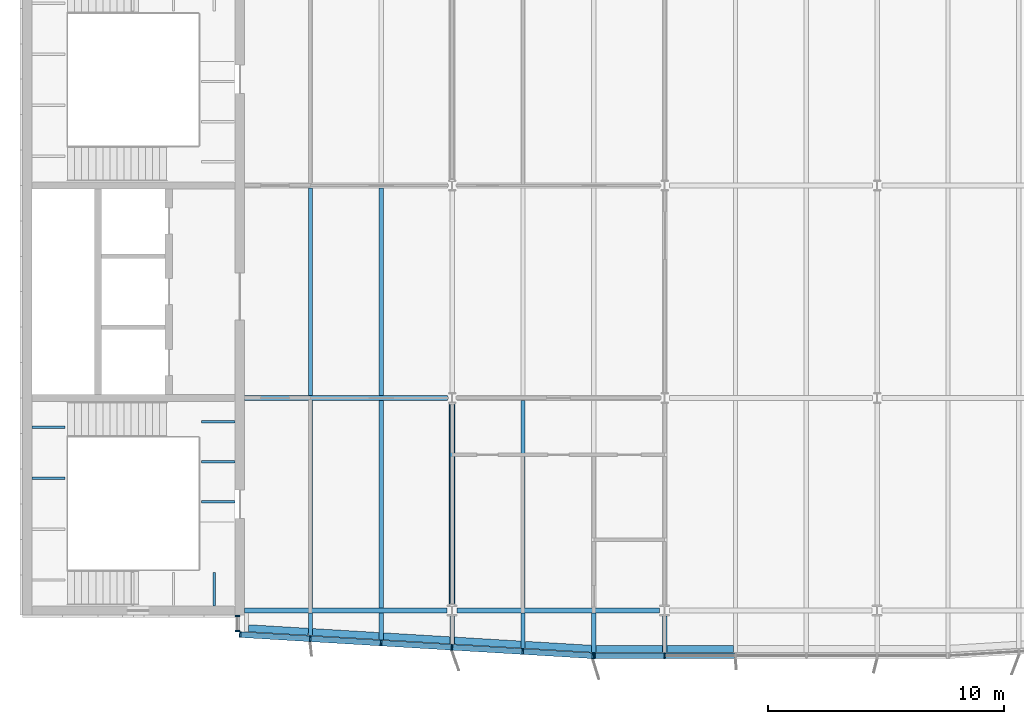
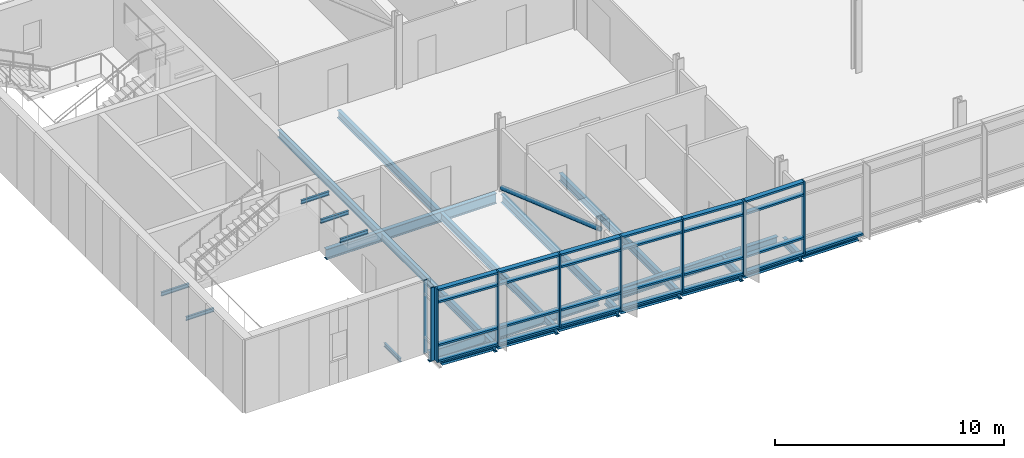
# One storey, part 2 of 20: 36 members, 28 beams, 3 elements without a shape of their own.
"""IFC4 building model written with IfcOpenShell, lengths in metres."""

from ifc_helpers import new_model, si_unit, direction, frame, origin, origin_2d, place, context, subcontext, project, spatial, rectangle, hollow_circle, i_section, extrude, material, material_profile, profile_set, type_object, element, aggregate, save


model = new_model("IFC4")

# Units and contexts
model_context = context("Model", 3, precision=1e-05, world=origin(), true_north=direction((0.0, 1.0)))
body_context = subcontext(model_context, "Body", "Model", "MODEL_VIEW")
ifc_project = project(units=[si_unit("LENGTHUNIT", "METRE"), si_unit("AREAUNIT", "SQUARE_METRE"), si_unit("VOLUMEUNIT", "CUBIC_METRE"), si_unit("PLANEANGLEUNIT", "RADIAN"), si_unit("MASSUNIT", "GRAM", prefix="KILO")], contexts=[model_context])

# Site, building, storey
site_placement = place(None, origin())
site = spatial("IfcSite", under=ifc_project, at=site_placement, CompositionType="ELEMENT")
building_placement = place(site_placement, origin())
building = spatial("IfcBuilding", under=site, at=building_placement, Name="Azimuth Sports and Learning Centre", CompositionType="ELEMENT")
storey_placement = place(building_placement, frame((0.0, 0.0, 44.10009765625)))
storey = spatial("IfcBuildingStorey", under=building, at=storey_placement, Name="L09", CompositionType="ELEMENT", Elevation=44.10009765625)

# Beams
ifc_material_1 = material(Name="Steel S355", Category="steel")
ifc_material_profile_1 = material_profile(ifc_material_1, i_section(OverallWidth=0.10009765625, OverallDepth=0.199951171875, WebThickness=0.005615234375, FlangeThickness=0.008544921875, FilletRadius=0.011962890625, at=origin_2d()), Name="IPE 200")
ifc_profile_set_1 = profile_set([ifc_material_profile_1], Name="Steel S355")
beam_type_1 = type_object("IfcBeamType", Name="Beam IPE 200", PredefinedType="BEAM", material=ifc_profile_set_1)
for number, where, z_axis, x_axis, name in (
    (1, (61.9267578125, 90.199951171875, -0.300048828125), (0.0, 1.0, 0.0), (-1.0, 0.0, 0.0), "Landing bracket W1 L09 91"),
    (2, (54.199951171875, 95.603759765625, 1.349853515625), (1.0, 0.0, 0.0), (0.0, 1.0, 0.0), "Landing bracket W1 L09 94"),
    (3, (54.199951171875, 97.76123046875, 1.349853515625), (1.0, 0.0, 0.0), (0.0, 1.0, 0.0), "Landing bracket W1 L09 95"),
    (4, (62.800048828125, 94.598388671875, 3.599853515625), (-1.0, 0.0, 0.0), (0.0, -1.0, 0.0), "Landing bracket W1 L09 96"),
    (5, (62.800048828125, 96.294921875, 3.599853515625), (-1.0, 0.0, 0.0), (0.0, -1.0, 0.0), "Landing bracket W1 L09 97"),
    (6, (62.800048828125, 97.99169921875, 3.599853515625), (-1.0, 0.0, 0.0), (0.0, -1.0, 0.0), "Landing bracket W1 L09 98"),
):
    element("IfcBeam", number, at=place(storey_placement, frame(where, z_axis=z_axis, x_axis=x_axis)), inside=storey, type_object=beam_type_1, Name=name, PredefinedType="BEAM", context=body_context, shape_type="SweptSolid", body=[
        extrude(i_section(OverallWidth=0.10009765625, OverallDepth=0.199951171875, WebThickness=0.005615234375, FlangeThickness=0.008544921875, FilletRadius=0.011962890625, at=origin_2d()), origin(), (0.0, 0.0, 1.0), 1.41015625),
    ])
ifc_material_2 = material(Name="Steel S355", Category="steel")
ifc_material_profile_2 = material_profile(ifc_material_2, i_section(OverallWidth=0.18994140625, OverallDepth=0.449951171875, WebThickness=0.009521484375, FlangeThickness=0.0146484375, FilletRadius=0.02099609375, at=origin_2d()), Name="IPE 450")
ifc_profile_set_2 = profile_set([ifc_material_profile_2], Name="Steel S355")
beam_type_2 = type_object("IfcBeamType", Name="Beam IPE 450", PredefinedType="BEAM", material=ifc_profile_set_2)
beam_1_placement = place(storey_placement, frame((72.0, 90.237060546875, -0.35498046875), z_axis=(0.0, 1.0, 0.0), x_axis=(-1.0, 0.0, 0.0)))
element("IfcBeam", 7, at=beam_1_placement, inside=storey, type_object=beam_type_2, Name="Tower tie", PredefinedType="BEAM", context=body_context, shape_type="SweptSolid", body=[
    extrude(i_section(OverallWidth=0.18994140625, OverallDepth=0.449951171875, WebThickness=0.009521484375, FlangeThickness=0.0146484375, FilletRadius=0.02099609375, at=origin_2d()), origin(), (0.0, 0.0, 1.0), 8.54541015625),
])
ifc_material_3 = material(Name="Steel S355", Category="steel")
ifc_material_profile_3 = material_profile(ifc_material_3, i_section(OverallWidth=0.2099609375, OverallDepth=0.550048828125, WebThickness=0.010986328125, FlangeThickness=0.01708984375, FilletRadius=0.02392578125, at=origin_2d()), Name="IPE 550")
ifc_profile_set_3 = profile_set([ifc_material_profile_3], Name="Steel S355")
beam_type_3 = type_object("IfcBeamType", Name="Beam IPE 550", PredefinedType="BEAM", material=ifc_profile_set_3)
beam_2_placement = place(storey_placement, frame((63.199951171875, 90.0, -0.405029296875), z_axis=(1.0, 0.0, 0.0), x_axis=(0.0, 1.0, 0.0)))
element("IfcBeam", 8, at=beam_2_placement, inside=storey, type_object=beam_type_3, Name="Tower girder L09", PredefinedType="BEAM", context=body_context, shape_type="SweptSolid", body=[
    extrude(i_section(OverallWidth=0.2099609375, OverallDepth=0.550048828125, WebThickness=0.010986328125, FlangeThickness=0.01708984375, FilletRadius=0.02392578125, at=origin_2d()), origin(), (0.0, 0.0, 1.0), 8.588134765625),
])
beam_3_placement = place(storey_placement, frame((72.2119140625, 90.0, -0.405029296875), z_axis=(1.0, 0.0, 0.0), x_axis=(0.0, 1.0, 0.0)))
element("IfcBeam", 9, at=beam_3_placement, inside=storey, type_object=beam_type_3, Name="Tower girder L09", PredefinedType="BEAM", context=body_context, shape_type="SweptSolid", body=[
    extrude(i_section(OverallWidth=0.2099609375, OverallDepth=0.550048828125, WebThickness=0.010986328125, FlangeThickness=0.01708984375, FilletRadius=0.02392578125, at=origin_2d()), origin(), (0.0, 0.0, 1.0), 8.576171875),
])
beam_4_placement = place(storey_placement, frame((63.199951171875, 99.0, -0.405029296875), z_axis=(1.0, 0.0, 0.0), x_axis=(0.0, 1.0, 0.0)))
element("IfcBeam", 10, at=beam_4_placement, inside=storey, type_object=beam_type_3, Name="Tower girder L09", PredefinedType="BEAM", context=body_context, shape_type="SweptSolid", body=[
    extrude(i_section(OverallWidth=0.2099609375, OverallDepth=0.550048828125, WebThickness=0.010986328125, FlangeThickness=0.01708984375, FilletRadius=0.02392578125, at=origin_2d()), origin(), (0.0, 0.0, 1.0), 8.593994140625),
])

# Member
ifc_material_4 = material(Name="Steel S355", Category="steel")
ifc_material_profile_4 = material_profile(ifc_material_4, hollow_circle(Radius=0.122314453125, WallThickness=0.012451171875, at=origin_2d()), Name="CHS 244.5x12.5")
ifc_profile_set_4 = profile_set([ifc_material_profile_4], Name="Steel S355")
member_type_1 = type_object("IfcMemberType", Name="Brace CHS 244.5x12.5", PredefinedType="BRACE", material=ifc_profile_set_4)
member_1_placement = place(storey_placement, frame((72.0, 90.247802734375, 3.150390625), z_axis=(0.0, 0.94383599609, -0.330414304299), x_axis=(-1.0, 0.0, 0.0)))
element("IfcMember", 11, at=member_1_placement, inside=storey, type_object=member_type_1, Name="Tower brace 9 L09", PredefinedType="BRACE", context=body_context, shape_type="SweptSolid", body=[
    extrude(hollow_circle(Radius=0.122314453125, WallThickness=0.012451171875, at=origin_2d()), origin(), (0.0, 0.0, 1.0), 9.022705078125),
])

# Beams
ifc_material_5 = material(Name="Steel S355", Category="steel")
ifc_material_profile_5 = material_profile(ifc_material_5, i_section(OverallWidth=0.179931640625, OverallDepth=0.39990234375, WebThickness=0.008544921875, FlangeThickness=0.013427734375, FilletRadius=0.02099609375, at=origin_2d()), Name="IPE 400")
ifc_profile_set_5 = profile_set([ifc_material_profile_5], Name="Steel S355")
beam_type_4 = type_object("IfcBeamType", Name="Cantilever stub IPE 400", PredefinedType="JOIST", material=ifc_profile_set_5)
beam_5_placement = place(storey_placement, frame((66.0, 89.89501953125, -0.330078125), z_axis=(0.0, -1.0, 0.0), x_axis=(1.0, 0.0, 0.0)))
element("IfcBeam", 12, at=beam_5_placement, inside=storey, type_object=beam_type_4, Name="Tower cantilever stub", PredefinedType="JOIST", context=body_context, shape_type="SweptSolid", body=[
    extrude(i_section(OverallWidth=0.179931640625, OverallDepth=0.39990234375, WebThickness=0.008544921875, FlangeThickness=0.013427734375, FilletRadius=0.02099609375, at=origin_2d()), origin(), (0.0, 0.0, 1.0), 0.955078125),
])
beam_6_placement = place(storey_placement, frame((69.0, 89.89501953125, -0.330078125), z_axis=(0.0, -1.0, 0.0), x_axis=(1.0, 0.0, 0.0)))
element("IfcBeam", 13, at=beam_6_placement, inside=storey, type_object=beam_type_4, Name="Tower cantilever stub", PredefinedType="JOIST", context=body_context, shape_type="SweptSolid", body=[
    extrude(i_section(OverallWidth=0.179931640625, OverallDepth=0.39990234375, WebThickness=0.008544921875, FlangeThickness=0.013427734375, FilletRadius=0.02099609375, at=origin_2d()), origin(), (0.0, 0.0, 1.0), 1.135009765625),
])
beam_7_placement = place(storey_placement, frame((72.0, 89.762939453125, -0.330078125), z_axis=(0.0, -1.0, 0.0), x_axis=(1.0, 0.0, 0.0)))
element("IfcBeam", 14, at=beam_7_placement, inside=storey, type_object=beam_type_4, Name="Tower cantilever stub", PredefinedType="JOIST", context=body_context, shape_type="SweptSolid", body=[
    extrude(i_section(OverallWidth=0.179931640625, OverallDepth=0.39990234375, WebThickness=0.008544921875, FlangeThickness=0.013427734375, FilletRadius=0.02099609375, at=origin_2d()), origin(), (0.0, 0.0, 1.0), 1.182861328125),
])
beam_8_placement = place(storey_placement, frame((75.0, 89.89501953125, -0.330078125), z_axis=(0.0, -1.0, 0.0), x_axis=(1.0, 0.0, 0.0)))
element("IfcBeam", 15, at=beam_8_placement, inside=storey, type_object=beam_type_4, Name="Tower cantilever stub", PredefinedType="JOIST", context=body_context, shape_type="SweptSolid", body=[
    extrude(i_section(OverallWidth=0.179931640625, OverallDepth=0.39990234375, WebThickness=0.008544921875, FlangeThickness=0.013427734375, FilletRadius=0.02099609375, at=origin_2d()), origin(), (0.0, 0.0, 1.0), 1.4951171875),
])
beam_9_placement = place(storey_placement, frame((78.0, 89.89501953125, -0.330078125), z_axis=(0.0, -1.0, 0.0), x_axis=(1.0, 0.0, 0.0)))
element("IfcBeam", 16, at=beam_9_placement, inside=storey, type_object=beam_type_4, Name="Tower cantilever stub", PredefinedType="JOIST", context=body_context, shape_type="SweptSolid", body=[
    extrude(i_section(OverallWidth=0.179931640625, OverallDepth=0.39990234375, WebThickness=0.008544921875, FlangeThickness=0.013427734375, FilletRadius=0.02099609375, at=origin_2d()), origin(), (0.0, 0.0, 1.0), 1.675048828125),
])
beam_10_placement = place(storey_placement, frame((81.0, 89.762939453125, -0.330078125), z_axis=(0.0, -1.0, 0.0), x_axis=(1.0, 0.0, 0.0)))
element("IfcBeam", 17, at=beam_10_placement, inside=storey, type_object=beam_type_4, Name="Tower cantilever stub", PredefinedType="JOIST", context=body_context, shape_type="SweptSolid", body=[
    extrude(i_section(OverallWidth=0.179931640625, OverallDepth=0.39990234375, WebThickness=0.008544921875, FlangeThickness=0.013427734375, FilletRadius=0.02099609375, at=origin_2d()), origin(), (0.0, 0.0, 1.0), 1.54296875),
])
ifc_material_6 = material(Name="Steel S355", Category="steel")
ifc_material_profile_6 = material_profile(ifc_material_6, i_section(OverallWidth=0.300048828125, OverallDepth=0.2900390625, WebThickness=0.008544921875, FlangeThickness=0.013916015625, FilletRadius=0.027099609375, at=origin_2d()), Name="HEA 300")
ifc_profile_set_6 = profile_set([ifc_material_profile_6], Name="Steel S355")
beam_type_5 = type_object("IfcBeamType", Name="Edge beam HEA 300", PredefinedType="SPANDREL", material=ifc_profile_set_6)
beam_11_placement = place(storey_placement, frame((63.3798828125, 89.247314453125, -0.275146484375), z_axis=(0.998203578329, -0.059913405937, 0.0), x_axis=(0.059913405937, 0.998203578329, 0.0)))
element("IfcBeam", 18, at=beam_11_placement, inside=storey, type_object=beam_type_5, Name="Tower edge beam", PredefinedType="SPANDREL", context=body_context, shape_type="SweptSolid", body=[
    extrude(i_section(OverallWidth=0.300048828125, OverallDepth=0.2900390625, WebThickness=0.008544921875, FlangeThickness=0.013916015625, FilletRadius=0.027099609375, at=origin_2d()), origin(), (0.0, 0.0, 1.0), 2.53466796875),
])
for number, where, z_axis, x_axis, name in (
    (19, (66.090087890625, 89.084716796875, -0.275146484375), (0.998199674899, -0.059978404708, 0.0), (0.059978404708, 0.998199674899, 0.0), "Tower edge beam"),
    (20, (69.090087890625, 88.904541015625, -0.275146484375), (0.998204845466, -0.059892290728, 0.0), (0.059892290728, 0.998204845466, 0.0), "Tower edge beam"),
    (21, (72.090087890625, 88.724609375, -0.275146484375), (0.998204845466, -0.059892290728, 0.0), (0.059892290728, 0.998204845466, 0.0), "Tower edge beam"),
    (22, (75.090087890625, 88.544677734375, -0.275146484375), (0.998204845466, -0.059892290728, 0.0), (0.059892290728, 0.998204845466, 0.0), "Tower edge beam"),
):
    element("IfcBeam", number, at=place(storey_placement, frame(where, z_axis=z_axis, x_axis=x_axis)), inside=storey, type_object=beam_type_5, Name=name, PredefinedType="SPANDREL", context=body_context, shape_type="SweptSolid", body=[
        extrude(i_section(OverallWidth=0.300048828125, OverallDepth=0.2900390625, WebThickness=0.008544921875, FlangeThickness=0.013916015625, FilletRadius=0.027099609375, at=origin_2d()), origin(), (0.0, 0.0, 1.0), 2.824951171875),
    ])
for number, where, z_axis, x_axis, name in (
    (23, (78.090087890625, 88.3701171875, -0.275146484375), (1.0, 0.0, 0.0), (0.0, 1.0, 0.0), "Tower edge beam"),
    (24, (81.090087890625, 88.3701171875, -0.275146484375), (1.0, 0.0, 0.0), (0.0, 1.0, 0.0), "Tower edge beam"),
):
    element("IfcBeam", number, at=place(storey_placement, frame(where, z_axis=z_axis, x_axis=x_axis)), inside=storey, type_object=beam_type_5, Name=name, PredefinedType="SPANDREL", context=body_context, shape_type="SweptSolid", body=[
        extrude(i_section(OverallWidth=0.300048828125, OverallDepth=0.2900390625, WebThickness=0.008544921875, FlangeThickness=0.013916015625, FilletRadius=0.027099609375, at=origin_2d()), origin(), (0.0, 0.0, 1.0), 2.81982421875),
    ])
ifc_material_7 = material(Name="Steel S355", Category="steel")
ifc_material_profile_7 = material_profile(ifc_material_7, i_section(OverallWidth=0.179931640625, OverallDepth=0.39990234375, WebThickness=0.008544921875, FlangeThickness=0.013427734375, FilletRadius=0.02099609375, at=origin_2d()), Name="IPE 400")
ifc_profile_set_7 = profile_set([ifc_material_profile_7], Name="Steel S355")
beam_type_6 = type_object("IfcBeamType", Name="Joist IPE 400", PredefinedType="JOIST", material=ifc_profile_set_7)
for number, where, z_axis, x_axis, name in (
    (25, (66.0, 90.10498046875, -0.330078125), (0.0, 1.0, 0.0), (-1.0, 0.0, 0.0), "Tower joist"),
    (26, (66.0, 99.10498046875, -0.330078125), (0.0, 1.0, 0.0), (-1.0, 0.0, 0.0), "Tower joist"),
    (27, (69.0, 90.10498046875, -0.330078125), (0.0, 1.0, 0.0), (-1.0, 0.0, 0.0), "Tower joist"),
    (28, (69.0, 99.10498046875, -0.330078125), (0.0, 1.0, 0.0), (-1.0, 0.0, 0.0), "Tower joist"),
    (29, (75.0, 90.10498046875, -0.330078125), (0.0, 1.0, 0.0), (-1.0, 0.0, 0.0), "Tower joist"),
):
    element("IfcBeam", number, at=place(storey_placement, frame(where, z_axis=z_axis, x_axis=x_axis)), inside=storey, type_object=beam_type_6, Name=name, PredefinedType="JOIST", context=body_context, shape_type="SweptSolid", body=[
        extrude(i_section(OverallWidth=0.179931640625, OverallDepth=0.39990234375, WebThickness=0.008544921875, FlangeThickness=0.013427734375, FilletRadius=0.02099609375, at=origin_2d()), origin(), (0.0, 0.0, 1.0), 8.7900390625),
    ])

# Curtain wall, members
ifc_material_8 = material(Name="Aluminium and glass", Category="aluminium")
curtain_wall_type_1 = type_object("IfcCurtainWallType", Name="Curtain wall tower return 180", PredefinedType="NOTDEFINED", material=ifc_material_8)
curtain_wall_1_placement = place(storey_placement, origin())
curtain_wall_1 = element("IfcCurtainWall", 30, at=curtain_wall_1_placement, inside=storey, type_object=curtain_wall_type_1, Name="Curtain wall CW09-001", PredefinedType="NOTDEFINED")
ifc_material_9 = material(Name="Aluminium", Category="aluminium")
ifc_material_profile_8 = material_profile(ifc_material_9, rectangle(XDim=0.179931640625, YDim=0.06005859375, at=origin_2d()), Name="Mullion 60x180")
ifc_profile_set_8 = profile_set([ifc_material_profile_8], Name="Aluminium")
member_type_2 = type_object("IfcMemberType", Name="Mullion 60x180", PredefinedType="MULLION", material=ifc_profile_set_8)
member_2_placement = place(storey_placement, frame((62.909912109375, 89.77001953125, 0.0), z_axis=(0.0, 0.0, 1.0), x_axis=(1.0, 0.0, 0.0)))
member_2 = element("IfcMember", 31, at=member_2_placement, type_object=member_type_2, Name="CW09-001 mullion 1", PredefinedType="MULLION", context=body_context, shape_type="SweptSolid", body=[
    extrude(rectangle(XDim=0.179931640625, YDim=0.06005859375, at=origin_2d()), origin(), (0.0, 0.0, 1.0), 3.89990234375),
])
member_3_placement = place(storey_placement, frame((62.909912109375, 89.1298828125, 0.0), z_axis=(0.0, 0.0, 1.0), x_axis=(1.0, 0.0, 0.0)))
member_3 = element("IfcMember", 32, at=member_3_placement, type_object=member_type_2, Name="CW09-001 mullion 2", PredefinedType="MULLION", context=body_context, shape_type="SweptSolid", body=[
    extrude(rectangle(XDim=0.179931640625, YDim=0.06005859375, at=origin_2d()), origin(), (0.0, 0.0, 1.0), 3.89990234375),
])
aggregate(curtain_wall_1, [member_2, member_3])

ifc_material_10 = material(Name="Aluminium and glass", Category="aluminium")
curtain_wall_type_2 = type_object("IfcCurtainWallType", Name="Curtain wall tower south 240", PredefinedType="NOTDEFINED", material=ifc_material_10)
curtain_wall_2_placement = place(storey_placement, origin())
curtain_wall_2 = element("IfcCurtainWall", 33, at=curtain_wall_2_placement, inside=storey, type_object=curtain_wall_type_2, Name="Curtain wall CW09-002", PredefinedType="NOTDEFINED")
ifc_material_11 = material(Name="Aluminium", Category="aluminium")
ifc_material_profile_9 = material_profile(ifc_material_11, rectangle(XDim=0.239990234375, YDim=0.070068359375, at=origin_2d()), Name="Mullion 70x240")
ifc_profile_set_9 = profile_set([ifc_material_profile_9], Name="Aluminium")
member_type_3 = type_object("IfcMemberType", Name="Mullion 70x240", PredefinedType="MULLION", material=ifc_profile_set_9)
member_4_placement = place(storey_placement, frame((63.02783203125, 88.97802734375, 0.0), z_axis=(0.0, 0.0, 1.0), x_axis=(0.059891991812, 0.998204863401, 0.0)))
member_4 = element("IfcMember", 34, at=member_4_placement, type_object=member_type_3, Name="CW09-002 mullion 1", PredefinedType="MULLION", context=body_context, shape_type="SweptSolid", body=[
    extrude(rectangle(XDim=0.239990234375, YDim=0.070068359375, at=origin_2d()), origin(), (0.0, 0.0, 1.0), 3.89990234375),
])
member_5_placement = place(storey_placement, frame((65.992919921875, 88.80029296875, 0.0), z_axis=(0.0, 0.0, 1.0), x_axis=(0.059891991812, 0.998204863401, 0.0)))
member_5 = element("IfcMember", 35, at=member_5_placement, type_object=member_type_3, Name="CW09-002 mullion 2", PredefinedType="MULLION", context=body_context, shape_type="SweptSolid", body=[
    extrude(rectangle(XDim=0.239990234375, YDim=0.070068359375, at=origin_2d()), origin(), (0.0, 0.0, 1.0), 3.89990234375),
])
member_6_placement = place(storey_placement, frame((68.992919921875, 88.6201171875, 0.0), z_axis=(0.0, 0.0, 1.0), x_axis=(0.059891991812, 0.998204863401, 0.0)))
member_6 = element("IfcMember", 36, at=member_6_placement, type_object=member_type_3, Name="CW09-002 mullion 3", PredefinedType="MULLION", context=body_context, shape_type="SweptSolid", body=[
    extrude(rectangle(XDim=0.239990234375, YDim=0.070068359375, at=origin_2d()), origin(), (0.0, 0.0, 1.0), 3.89990234375),
])
member_7_placement = place(storey_placement, frame((71.992919921875, 88.440185546875, 0.0), z_axis=(0.0, 0.0, 1.0), x_axis=(0.059891991812, 0.998204863401, 0.0)))
member_7 = element("IfcMember", 37, at=member_7_placement, type_object=member_type_3, Name="CW09-002 mullion 4", PredefinedType="MULLION", context=body_context, shape_type="SweptSolid", body=[
    extrude(rectangle(XDim=0.239990234375, YDim=0.070068359375, at=origin_2d()), origin(), (0.0, 0.0, 1.0), 3.89990234375),
])
member_8_placement = place(storey_placement, frame((74.992919921875, 88.26025390625, 0.0), z_axis=(0.0, 0.0, 1.0), x_axis=(0.059891991812, 0.998204863401, 0.0)))
member_8 = element("IfcMember", 38, at=member_8_placement, type_object=member_type_3, Name="CW09-002 mullion 5", PredefinedType="MULLION", context=body_context, shape_type="SweptSolid", body=[
    extrude(rectangle(XDim=0.239990234375, YDim=0.070068359375, at=origin_2d()), origin(), (0.0, 0.0, 1.0), 3.89990234375),
])
member_9_placement = place(storey_placement, frame((77.957763671875, 88.082275390625, 0.0), z_axis=(0.0, 0.0, 1.0), x_axis=(0.059891991812, 0.998204863401, 0.0)))
member_9 = element("IfcMember", 39, at=member_9_placement, type_object=member_type_3, Name="CW09-002 mullion 6", PredefinedType="MULLION", context=body_context, shape_type="SweptSolid", body=[
    extrude(rectangle(XDim=0.239990234375, YDim=0.070068359375, at=origin_2d()), origin(), (0.0, 0.0, 1.0), 3.89990234375),
])

curtain_wall_3_placement = place(storey_placement, origin())
curtain_wall_3 = element("IfcCurtainWall", 40, at=curtain_wall_3_placement, inside=storey, type_object=curtain_wall_type_2, Name="Curtain wall CW09-003", PredefinedType="NOTDEFINED")
member_10_placement = place(storey_placement, frame((78.02783203125, 88.080078125, 0.0), z_axis=(0.0, 0.0, 1.0), x_axis=(0.0, 1.0, 0.0)))
member_10 = element("IfcMember", 41, at=member_10_placement, type_object=member_type_3, Name="CW09-003 mullion 1", PredefinedType="MULLION", context=body_context, shape_type="SweptSolid", body=[
    extrude(rectangle(XDim=0.239990234375, YDim=0.070068359375, at=origin_2d()), origin(), (0.0, 0.0, 1.0), 3.89990234375),
])
member_11_placement = place(storey_placement, frame((81.0, 88.080078125, 0.0), z_axis=(0.0, 0.0, 1.0), x_axis=(0.0, 1.0, 0.0)))
member_11 = element("IfcMember", 42, at=member_11_placement, type_object=member_type_3, Name="CW09-003 mullion 2", PredefinedType="MULLION", context=body_context, shape_type="SweptSolid", body=[
    extrude(rectangle(XDim=0.239990234375, YDim=0.070068359375, at=origin_2d()), origin(), (0.0, 0.0, 1.0), 3.89990234375),
])

# Member
ifc_material_12 = material(Name="Aluminium", Category="aluminium")
ifc_material_profile_10 = material_profile(ifc_material_12, rectangle(XDim=0.239990234375, YDim=0.10009765625, at=origin_2d()), Name="Transom 100x240")
ifc_profile_set_10 = profile_set([ifc_material_profile_10], Name="Aluminium")
member_type_4 = type_object("IfcMemberType", Name="Transom 100x240", PredefinedType="USERDEFINED", material=ifc_profile_set_10)
member_12_placement = place(storey_placement, frame((63.062744140625, 88.97607421875, 0.0498046875), z_axis=(0.998202227529, -0.059935907067, 0.0), x_axis=(0.059935907067, 0.998202227529, 0.0)))
member_12 = element("IfcMember", 43, at=member_12_placement, type_object=member_type_4, Name="CW09-002 transom 1.1", ObjectType="TRANSOM", PredefinedType="USERDEFINED", context=body_context, shape_type="SweptSolid", body=[
    extrude(rectangle(XDim=0.239990234375, YDim=0.10009765625, at=origin_2d()), origin(), (0.0, 0.0, 1.0), 2.900146484375),
])

member_13_placement = place(storey_placement, frame((63.062744140625, 88.97607421875, 0.89990234375), z_axis=(0.998202227529, -0.059935907067, 0.0), x_axis=(0.059935907067, 0.998202227529, 0.0)))
member_13 = element("IfcMember", 44, at=member_13_placement, type_object=member_type_4, Name="CW09-002 transom 1.2", ObjectType="TRANSOM", PredefinedType="USERDEFINED", context=body_context, shape_type="SweptSolid", body=[
    extrude(rectangle(XDim=0.239990234375, YDim=0.10009765625, at=origin_2d()), origin(), (0.0, 0.0, 1.0), 2.900146484375),
])

member_14_placement = place(storey_placement, frame((63.062744140625, 88.97607421875, 3.199951171875), z_axis=(0.998202227529, -0.059935907067, 0.0), x_axis=(0.059935907067, 0.998202227529, 0.0)))
member_14 = element("IfcMember", 45, at=member_14_placement, type_object=member_type_4, Name="CW09-002 transom 1.3", ObjectType="TRANSOM", PredefinedType="USERDEFINED", context=body_context, shape_type="SweptSolid", body=[
    extrude(rectangle(XDim=0.239990234375, YDim=0.10009765625, at=origin_2d()), origin(), (0.0, 0.0, 1.0), 2.900146484375),
])

member_15_placement = place(storey_placement, frame((63.062744140625, 88.97607421875, 3.849853515625), z_axis=(0.998202227529, -0.059935907067, 0.0), x_axis=(0.059935907067, 0.998202227529, 0.0)))
member_15 = element("IfcMember", 46, at=member_15_placement, type_object=member_type_4, Name="CW09-002 transom 1.4", ObjectType="TRANSOM", PredefinedType="USERDEFINED", context=body_context, shape_type="SweptSolid", body=[
    extrude(rectangle(XDim=0.239990234375, YDim=0.10009765625, at=origin_2d()), origin(), (0.0, 0.0, 1.0), 2.900146484375),
])

member_16_placement = place(storey_placement, frame((66.02783203125, 88.798095703125, 0.0498046875), z_axis=(0.998205143816, -0.059887318019, 0.0), x_axis=(0.059887318019, 0.998205143816, 0.0)))
member_16 = element("IfcMember", 47, at=member_16_placement, type_object=member_type_4, Name="CW09-002 transom 2.1", ObjectType="TRANSOM", PredefinedType="USERDEFINED", context=body_context, shape_type="SweptSolid", body=[
    extrude(rectangle(XDim=0.239990234375, YDim=0.10009765625, at=origin_2d()), origin(), (0.0, 0.0, 1.0), 2.935302734375),
])

member_17_placement = place(storey_placement, frame((66.02783203125, 88.798095703125, 0.89990234375), z_axis=(0.998205143816, -0.059887318019, 0.0), x_axis=(0.059887318019, 0.998205143816, 0.0)))
member_17 = element("IfcMember", 48, at=member_17_placement, type_object=member_type_4, Name="CW09-002 transom 2.2", ObjectType="TRANSOM", PredefinedType="USERDEFINED", context=body_context, shape_type="SweptSolid", body=[
    extrude(rectangle(XDim=0.239990234375, YDim=0.10009765625, at=origin_2d()), origin(), (0.0, 0.0, 1.0), 2.935302734375),
])

member_18_placement = place(storey_placement, frame((66.02783203125, 88.798095703125, 3.199951171875), z_axis=(0.998205143816, -0.059887318019, 0.0), x_axis=(0.059887318019, 0.998205143816, 0.0)))
member_18 = element("IfcMember", 49, at=member_18_placement, type_object=member_type_4, Name="CW09-002 transom 2.3", ObjectType="TRANSOM", PredefinedType="USERDEFINED", context=body_context, shape_type="SweptSolid", body=[
    extrude(rectangle(XDim=0.239990234375, YDim=0.10009765625, at=origin_2d()), origin(), (0.0, 0.0, 1.0), 2.935302734375),
])

member_19_placement = place(storey_placement, frame((66.02783203125, 88.798095703125, 3.849853515625), z_axis=(0.998205143816, -0.059887318019, 0.0), x_axis=(0.059887318019, 0.998205143816, 0.0)))
member_19 = element("IfcMember", 50, at=member_19_placement, type_object=member_type_4, Name="CW09-002 transom 2.4", ObjectType="TRANSOM", PredefinedType="USERDEFINED", context=body_context, shape_type="SweptSolid", body=[
    extrude(rectangle(XDim=0.239990234375, YDim=0.10009765625, at=origin_2d()), origin(), (0.0, 0.0, 1.0), 2.935302734375),
])

member_20_placement = place(storey_placement, frame((69.02783203125, 88.6181640625, 0.0498046875), z_axis=(0.998205143816, -0.059887318019, 0.0), x_axis=(0.059887318019, 0.998205143816, 0.0)))
member_20 = element("IfcMember", 51, at=member_20_placement, type_object=member_type_4, Name="CW09-002 transom 3.1", ObjectType="TRANSOM", PredefinedType="USERDEFINED", context=body_context, shape_type="SweptSolid", body=[
    extrude(rectangle(XDim=0.239990234375, YDim=0.10009765625, at=origin_2d()), origin(), (0.0, 0.0, 1.0), 2.935302734375),
])

member_21_placement = place(storey_placement, frame((69.02783203125, 88.6181640625, 0.89990234375), z_axis=(0.998205143816, -0.059887318019, 0.0), x_axis=(0.059887318019, 0.998205143816, 0.0)))
member_21 = element("IfcMember", 52, at=member_21_placement, type_object=member_type_4, Name="CW09-002 transom 3.2", ObjectType="TRANSOM", PredefinedType="USERDEFINED", context=body_context, shape_type="SweptSolid", body=[
    extrude(rectangle(XDim=0.239990234375, YDim=0.10009765625, at=origin_2d()), origin(), (0.0, 0.0, 1.0), 2.935302734375),
])

member_22_placement = place(storey_placement, frame((69.02783203125, 88.6181640625, 3.199951171875), z_axis=(0.998205143816, -0.059887318019, 0.0), x_axis=(0.059887318019, 0.998205143816, 0.0)))
member_22 = element("IfcMember", 53, at=member_22_placement, type_object=member_type_4, Name="CW09-002 transom 3.3", ObjectType="TRANSOM", PredefinedType="USERDEFINED", context=body_context, shape_type="SweptSolid", body=[
    extrude(rectangle(XDim=0.239990234375, YDim=0.10009765625, at=origin_2d()), origin(), (0.0, 0.0, 1.0), 2.935302734375),
])

member_23_placement = place(storey_placement, frame((69.02783203125, 88.6181640625, 3.849853515625), z_axis=(0.998205143816, -0.059887318019, 0.0), x_axis=(0.059887318019, 0.998205143816, 0.0)))
member_23 = element("IfcMember", 54, at=member_23_placement, type_object=member_type_4, Name="CW09-002 transom 3.4", ObjectType="TRANSOM", PredefinedType="USERDEFINED", context=body_context, shape_type="SweptSolid", body=[
    extrude(rectangle(XDim=0.239990234375, YDim=0.10009765625, at=origin_2d()), origin(), (0.0, 0.0, 1.0), 2.935302734375),
])

member_24_placement = place(storey_placement, frame((72.02783203125, 88.438232421875, 0.0498046875), z_axis=(0.998200168103, -0.059970195917, 0.0), x_axis=(0.059970195917, 0.998200168103, 0.0)))
member_24 = element("IfcMember", 55, at=member_24_placement, type_object=member_type_4, Name="CW09-002 transom 4.1", ObjectType="TRANSOM", PredefinedType="USERDEFINED", context=body_context, shape_type="SweptSolid", body=[
    extrude(rectangle(XDim=0.239990234375, YDim=0.10009765625, at=origin_2d()), origin(), (0.0, 0.0, 1.0), 2.935302734375),
])

member_25_placement = place(storey_placement, frame((72.02783203125, 88.438232421875, 0.89990234375), z_axis=(0.998200168103, -0.059970195917, 0.0), x_axis=(0.059970195917, 0.998200168103, 0.0)))
member_25 = element("IfcMember", 56, at=member_25_placement, type_object=member_type_4, Name="CW09-002 transom 4.2", ObjectType="TRANSOM", PredefinedType="USERDEFINED", context=body_context, shape_type="SweptSolid", body=[
    extrude(rectangle(XDim=0.239990234375, YDim=0.10009765625, at=origin_2d()), origin(), (0.0, 0.0, 1.0), 2.935302734375),
])

member_26_placement = place(storey_placement, frame((72.02783203125, 88.438232421875, 3.199951171875), z_axis=(0.998200168103, -0.059970195917, 0.0), x_axis=(0.059970195917, 0.998200168103, 0.0)))
member_26 = element("IfcMember", 57, at=member_26_placement, type_object=member_type_4, Name="CW09-002 transom 4.3", ObjectType="TRANSOM", PredefinedType="USERDEFINED", context=body_context, shape_type="SweptSolid", body=[
    extrude(rectangle(XDim=0.239990234375, YDim=0.10009765625, at=origin_2d()), origin(), (0.0, 0.0, 1.0), 2.935302734375),
])

member_27_placement = place(storey_placement, frame((72.02783203125, 88.438232421875, 3.849853515625), z_axis=(0.998200168103, -0.059970195917, 0.0), x_axis=(0.059970195917, 0.998200168103, 0.0)))
member_27 = element("IfcMember", 58, at=member_27_placement, type_object=member_type_4, Name="CW09-002 transom 4.4", ObjectType="TRANSOM", PredefinedType="USERDEFINED", context=body_context, shape_type="SweptSolid", body=[
    extrude(rectangle(XDim=0.239990234375, YDim=0.10009765625, at=origin_2d()), origin(), (0.0, 0.0, 1.0), 2.935302734375),
])

member_28_placement = place(storey_placement, frame((75.02783203125, 88.258056640625, 0.0498046875), z_axis=(0.998207260343, -0.059852029187, 0.0), x_axis=(0.059852029187, 0.998207260343, 0.0)))
member_28 = element("IfcMember", 59, at=member_28_placement, type_object=member_type_4, Name="CW09-002 transom 5.1", ObjectType="TRANSOM", PredefinedType="USERDEFINED", context=body_context, shape_type="SweptSolid", body=[
    extrude(rectangle(XDim=0.239990234375, YDim=0.10009765625, at=origin_2d()), origin(), (0.0, 0.0, 1.0), 2.900146484375),
])

member_29_placement = place(storey_placement, frame((75.02783203125, 88.258056640625, 0.89990234375), z_axis=(0.998207260343, -0.059852029187, 0.0), x_axis=(0.059852029187, 0.998207260343, 0.0)))
member_29 = element("IfcMember", 60, at=member_29_placement, type_object=member_type_4, Name="CW09-002 transom 5.2", ObjectType="TRANSOM", PredefinedType="USERDEFINED", context=body_context, shape_type="SweptSolid", body=[
    extrude(rectangle(XDim=0.239990234375, YDim=0.10009765625, at=origin_2d()), origin(), (0.0, 0.0, 1.0), 2.900146484375),
])

member_30_placement = place(storey_placement, frame((75.02783203125, 88.258056640625, 3.199951171875), z_axis=(0.998207260343, -0.059852029187, 0.0), x_axis=(0.059852029187, 0.998207260343, 0.0)))
member_30 = element("IfcMember", 61, at=member_30_placement, type_object=member_type_4, Name="CW09-002 transom 5.3", ObjectType="TRANSOM", PredefinedType="USERDEFINED", context=body_context, shape_type="SweptSolid", body=[
    extrude(rectangle(XDim=0.239990234375, YDim=0.10009765625, at=origin_2d()), origin(), (0.0, 0.0, 1.0), 2.900146484375),
])

member_31_placement = place(storey_placement, frame((75.02783203125, 88.258056640625, 3.849853515625), z_axis=(0.998207260343, -0.059852029187, 0.0), x_axis=(0.059852029187, 0.998207260343, 0.0)))
member_31 = element("IfcMember", 62, at=member_31_placement, type_object=member_type_4, Name="CW09-002 transom 5.4", ObjectType="TRANSOM", PredefinedType="USERDEFINED", context=body_context, shape_type="SweptSolid", body=[
    extrude(rectangle(XDim=0.239990234375, YDim=0.10009765625, at=origin_2d()), origin(), (0.0, 0.0, 1.0), 2.900146484375),
])

aggregate(curtain_wall_2, [member_4, member_5, member_6, member_7, member_8, member_9, member_12, member_13, member_14, member_15, member_16, member_17, member_18, member_19, member_20, member_21, member_22, member_23, member_24, member_25, member_26, member_27, member_28, member_29, member_30, member_31])

member_32_placement = place(storey_placement, frame((78.062744140625, 88.080078125, 0.0498046875), z_axis=(1.0, 0.0, 0.0), x_axis=(0.0, 1.0, 0.0)))
member_32 = element("IfcMember", 63, at=member_32_placement, type_object=member_type_4, Name="CW09-003 transom 1.1", ObjectType="TRANSOM", PredefinedType="USERDEFINED", context=body_context, shape_type="SweptSolid", body=[
    extrude(rectangle(XDim=0.239990234375, YDim=0.10009765625, at=origin_2d()), origin(), (0.0, 0.0, 1.0), 2.90234375),
])

member_33_placement = place(storey_placement, frame((78.062744140625, 88.080078125, 0.89990234375), z_axis=(1.0, 0.0, 0.0), x_axis=(0.0, 1.0, 0.0)))
member_33 = element("IfcMember", 64, at=member_33_placement, type_object=member_type_4, Name="CW09-003 transom 1.2", ObjectType="TRANSOM", PredefinedType="USERDEFINED", context=body_context, shape_type="SweptSolid", body=[
    extrude(rectangle(XDim=0.239990234375, YDim=0.10009765625, at=origin_2d()), origin(), (0.0, 0.0, 1.0), 2.90234375),
])

member_34_placement = place(storey_placement, frame((78.062744140625, 88.080078125, 3.199951171875), z_axis=(1.0, 0.0, 0.0), x_axis=(0.0, 1.0, 0.0)))
member_34 = element("IfcMember", 65, at=member_34_placement, type_object=member_type_4, Name="CW09-003 transom 1.3", ObjectType="TRANSOM", PredefinedType="USERDEFINED", context=body_context, shape_type="SweptSolid", body=[
    extrude(rectangle(XDim=0.239990234375, YDim=0.10009765625, at=origin_2d()), origin(), (0.0, 0.0, 1.0), 2.90234375),
])

member_35_placement = place(storey_placement, frame((78.062744140625, 88.080078125, 3.849853515625), z_axis=(1.0, 0.0, 0.0), x_axis=(0.0, 1.0, 0.0)))
member_35 = element("IfcMember", 66, at=member_35_placement, type_object=member_type_4, Name="CW09-003 transom 1.4", ObjectType="TRANSOM", PredefinedType="USERDEFINED", context=body_context, shape_type="SweptSolid", body=[
    extrude(rectangle(XDim=0.239990234375, YDim=0.10009765625, at=origin_2d()), origin(), (0.0, 0.0, 1.0), 2.90234375),
])

member_36_placement = place(storey_placement, frame((81.034912109375, 88.080078125, 0.0498046875), z_axis=(1.0, 0.0, 0.0), x_axis=(0.0, 1.0, 0.0)))
member_36 = element("IfcMember", 67, at=member_36_placement, type_object=member_type_4, Name="CW09-003 transom 2.1", ObjectType="TRANSOM", PredefinedType="USERDEFINED", context=body_context, shape_type="SweptSolid", body=[
    extrude(rectangle(XDim=0.239990234375, YDim=0.10009765625, at=origin_2d()), origin(), (0.0, 0.0, 1.0), 2.93017578125),
])

aggregate(curtain_wall_3, [member_10, member_11, member_32, member_33, member_34, member_35, member_36])

save(model, "model.ifc")
